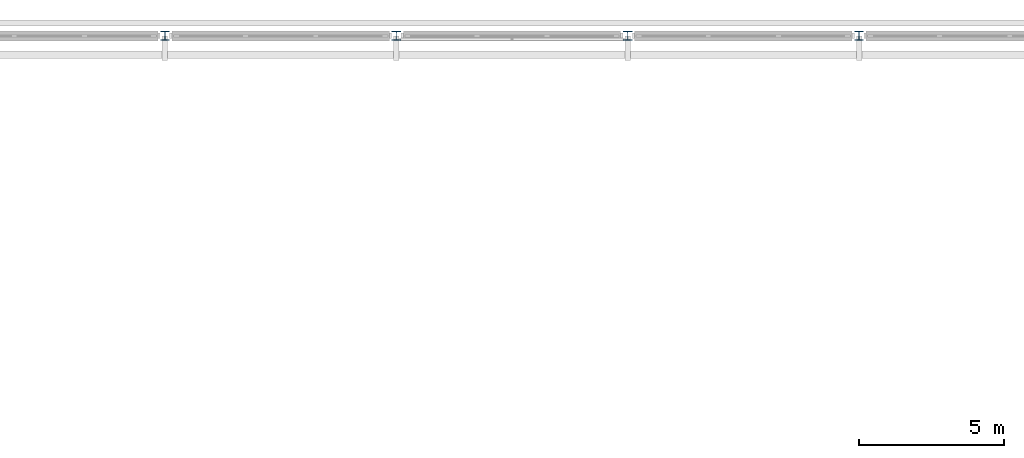
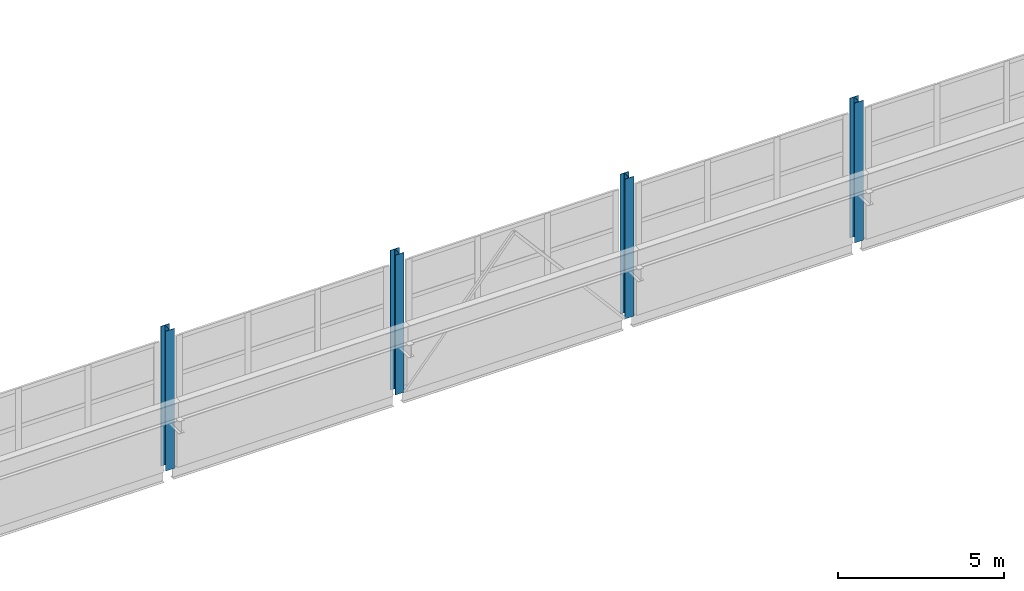
# One storey, part 16 of 106: 4 columns.
"""IFC4 building model written with IfcOpenShell, lengths in metres."""

from ifc_helpers import new_model, si_unit, direction, frame, origin, origin_2d, place, context, subcontext, project, spatial, i_section, extrude, material, material_profile, profile_set, type_object, element, save


model = new_model("IFC4")

# Units and contexts
model_context = context("Model", 3, precision=1e-05, world=origin(), true_north=direction((0.0, 1.0)))
body_context = subcontext(model_context, "Body", "Model", "MODEL_VIEW")
ifc_project = project(units=[si_unit("LENGTHUNIT", "METRE"), si_unit("AREAUNIT", "SQUARE_METRE"), si_unit("VOLUMEUNIT", "CUBIC_METRE"), si_unit("PLANEANGLEUNIT", "RADIAN"), si_unit("MASSUNIT", "GRAM", prefix="KILO")], contexts=[model_context])

# Site, building, storey
site_placement = place(None, origin())
site = spatial("IfcSite", under=ifc_project, at=site_placement, CompositionType="ELEMENT")
building_placement = place(site_placement, origin())
building = spatial("IfcBuilding", under=site, at=building_placement, Name="Jelvoka-Kovrelna Polytechnic", CompositionType="ELEMENT")
storey_placement = place(building_placement, frame((0.0, 0.0, 4.800048828125)))
storey = spatial("IfcBuildingStorey", under=building, at=storey_placement, Name="L02", CompositionType="ELEMENT", Elevation=4.800048828125)

# Columns
ifc_material = material(Name="Structural steel S355JR", Category="steel")
ifc_material_profile = material_profile(ifc_material, i_section(OverallWidth=0.305419921875, OverallDepth=0.307861328125, WebThickness=0.010009765625, FlangeThickness=0.015380859375, FilletRadius=0.01513671875, at=origin_2d()), Name="305x305x97 UC")
ifc_profile_set = profile_set([ifc_material_profile], Name="Structural steel S355JR")
column_type = type_object("IfcColumnType", Name="Col_Steel_UC305", PredefinedType="COLUMN", material=ifc_profile_set)
for number, where, z_axis, x_axis, name in (
    (1, (144.0, 120.0, 0.0), (0.0, 0.0, 1.0), (1.0, 0.0, 0.0), "L02 column 1643"),
    (2, (152.0, 120.0, 0.0), (0.0, 0.0, 1.0), (1.0, 0.0, 0.0), "L02 column 1646"),
    (3, (160.0, 120.0, 0.0), (0.0, 0.0, 1.0), (1.0, 0.0, 0.0), "L02 column 1649"),
    (4, (168.0, 120.0, 0.0), (0.0, 0.0, 1.0), (1.0, 0.0, 0.0), "L02 column 1652"),
):
    element("IfcColumn", number, at=place(storey_placement, frame(where, z_axis=z_axis, x_axis=x_axis)), inside=storey, type_object=column_type, Name=name, PredefinedType="COLUMN", context=body_context, shape_type="SweptSolid", body=[
        extrude(i_section(OverallWidth=0.305419921875, OverallDepth=0.307861328125, WebThickness=0.010009765625, FlangeThickness=0.015380859375, FilletRadius=0.01513671875, at=origin_2d()), origin(), (0.0, 0.0, 1.0), 5.14990234375),
    ])

save(model, "model.ifc")
